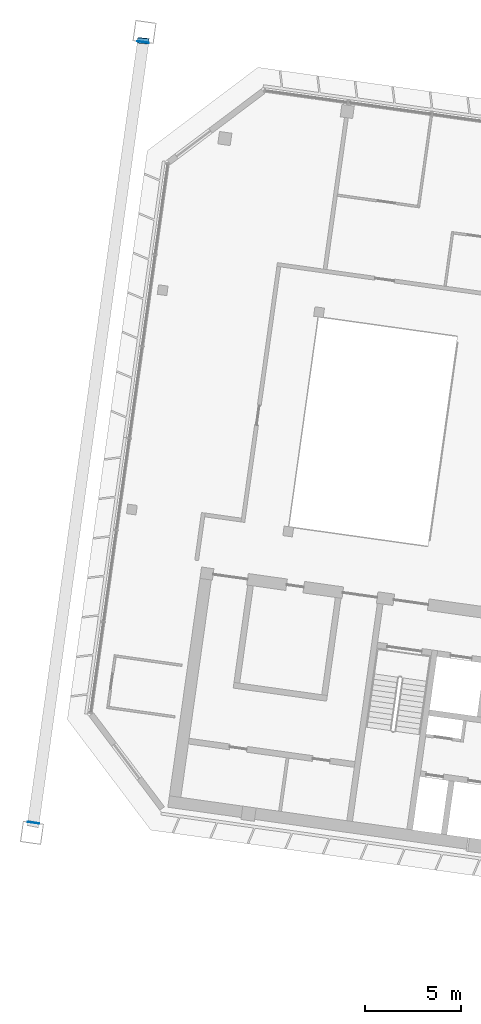
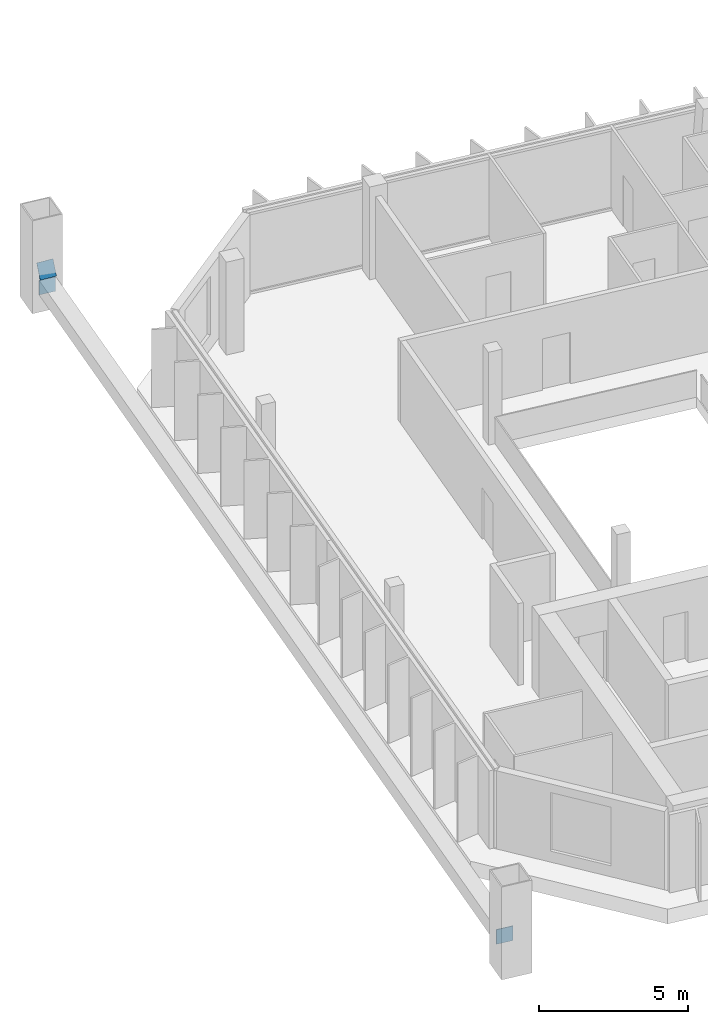
# One storey, part 23 of 26: 3 discrete accessories.
"""IFC4 building model written with IfcOpenShell, lengths in metres."""

from ifc_helpers import new_model, si_unit, direction, frame, origin, origin_2d, place, context, subcontext, project, spatial, rectangle, extrude, material, material_profile, profile_set, type_object, element, save


model = new_model("IFC4")

# Units and contexts
model_context = context("Model", 3, precision=1e-05, world=origin(), true_north=direction((0.0, 1.0)))
body_context = subcontext(model_context, "Body", "Model", "MODEL_VIEW")
ifc_project = project(units=[si_unit("LENGTHUNIT", "METRE"), si_unit("AREAUNIT", "SQUARE_METRE"), si_unit("VOLUMEUNIT", "CUBIC_METRE"), si_unit("PLANEANGLEUNIT", "RADIAN"), si_unit("MASSUNIT", "GRAM", prefix="KILO")], contexts=[model_context])

# Site, building, storey
site_placement = place(None, origin())
site = spatial("IfcSite", under=ifc_project, at=site_placement, CompositionType="ELEMENT")
building_placement = place(site_placement, origin())
building = spatial("IfcBuilding", under=site, at=building_placement, Name="Mirante Cascada Hotel Towers", CompositionType="ELEMENT")
storey_placement = place(building_placement, frame((0.0, 0.0, 235.6)))
storey = spatial("IfcBuildingStorey", under=building, at=storey_placement, Name="L56", CompositionType="ELEMENT", Elevation=235.6)

# Discrete accessories
ifc_material = material(Name="Steel ASTM A572 Gr 50", Category="steel")
ifc_material_profile = material_profile(ifc_material, rectangle(XDim=0.6, YDim=0.6, at=origin_2d()), Name="Connection plate 600x600x25 ASTM A572 Gr 50")
ifc_profile_set = profile_set([ifc_material_profile], Name="Steel ASTM A572 Gr 50")
discrete_accessory_type = type_object("IfcDiscreteAccessoryType", Name="Connection plate 600x600x25 ASTM A572 Gr 50", PredefinedType="BRACKET", material=ifc_profile_set)
for number, where, z_axis, x_axis, name in (
    (1, (-64.7708, 23.6378, 1.6086), (-0.0839953, -0.8839505, 0.4599742), (0.9955157, -0.0945965, 0.0), "Connection plate MB-OL56R"),
    (2, (-70.4808, -16.9946, 1.0), (0.1397442, 0.9901876, 0.0), (-0.9901876, 0.1397442, 0.0), "Connection plate NCH"),
):
    element("IfcDiscreteAccessory", number, at=place(storey_placement, frame(where, z_axis=z_axis, x_axis=x_axis)), inside=storey, type_object=discrete_accessory_type, Name=name, PredefinedType="BRACKET", context=body_context, shape_type="SweptSolid", body=[
        extrude(rectangle(XDim=0.6, YDim=0.6, at=origin_2d()), origin(), (0.0, 0.0, 1.0), 0.025),
    ])
discrete_accessory_placement = place(storey_placement, frame((-64.7831, 23.547, 1.0), z_axis=(0.1402989, 0.9901092, 0.0), x_axis=(-0.9901092, 0.1402989, 0.0)))
element("IfcDiscreteAccessory", 3, at=discrete_accessory_placement, inside=storey, type_object=discrete_accessory_type, Name="Connection plate NCH", PredefinedType="BRACKET", context=body_context, shape_type="SweptSolid", body=[
    extrude(rectangle(XDim=0.6, YDim=0.6, at=origin_2d()), origin(), (0.0, 0.0, 1.0), 0.0249),
])

save(model, "model.ifc")
